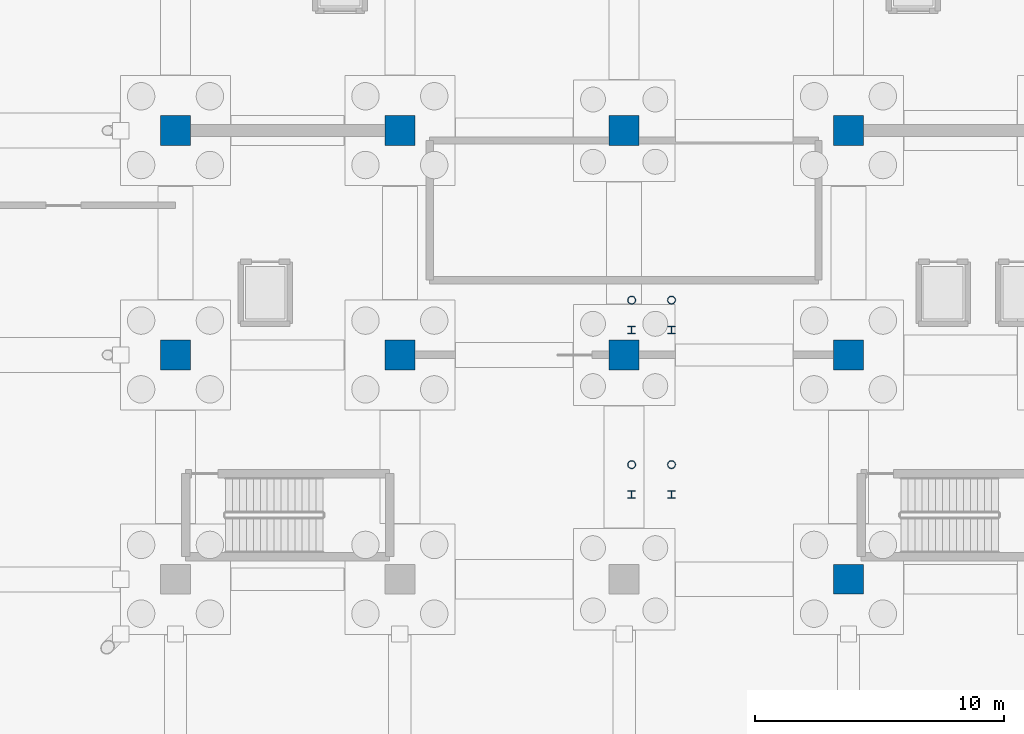
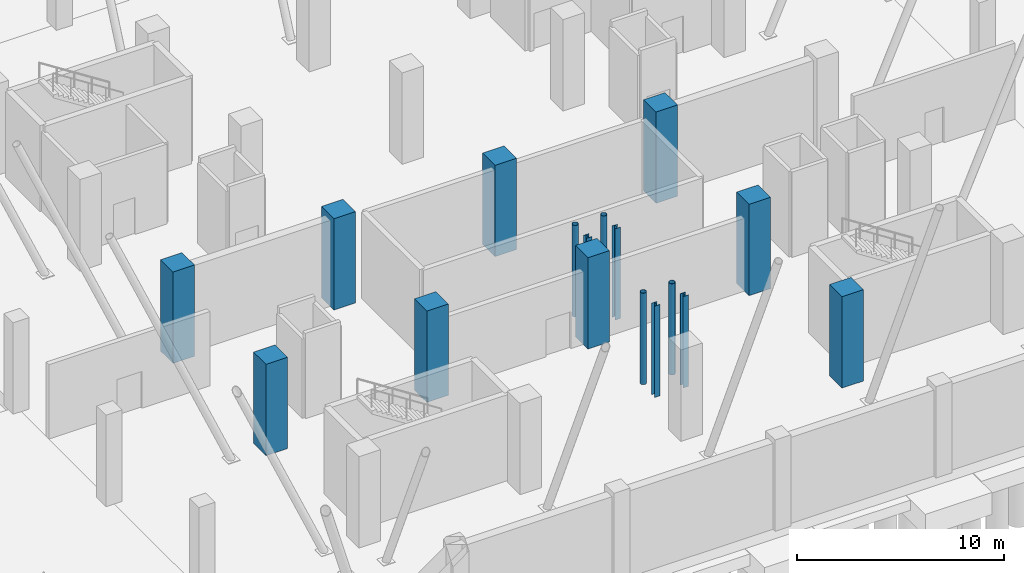
# One storey, part 13 of 42: 17 columns.
"""IFC4 building model written with IfcOpenShell, lengths in metres."""

from ifc_helpers import new_model, si_unit, direction, frame, origin, origin_2d, place, context, subcontext, project, spatial, rectangle, hollow_circle, i_section, extrude, material, material_profile, profile_set, type_object, element, save


model = new_model("IFC4")

# Units and contexts
model_context = context("Model", 3, precision=1e-05, world=origin(), true_north=direction((0.0, 1.0)))
body_context = subcontext(model_context, "Body", "Model", "MODEL_VIEW")
ifc_project = project(units=[si_unit("LENGTHUNIT", "METRE"), si_unit("AREAUNIT", "SQUARE_METRE"), si_unit("VOLUMEUNIT", "CUBIC_METRE"), si_unit("PLANEANGLEUNIT", "RADIAN"), si_unit("MASSUNIT", "GRAM", prefix="KILO")], contexts=[model_context])

# Site, building, storey
site_placement = place(None, origin())
site = spatial("IfcSite", under=ifc_project, at=site_placement, CompositionType="ELEMENT")
building_placement = place(site_placement, origin())
building = spatial("IfcBuilding", under=site, at=building_placement, Name="Sundgate Opera House", CompositionType="ELEMENT")
storey_placement = place(building_placement, frame((0.0, 0.0, -5.39990234375)))
storey = spatial("IfcBuildingStorey", under=building, at=storey_placement, Name="B01", CompositionType="ELEMENT", Elevation=-5.39990234375)

# Columns
ifc_material_1 = material(Name="Steel S355J2", Category="steel")
ifc_material_profile_1 = material_profile(ifc_material_1, hollow_circle(Radius=0.161865234375, WallThickness=0.01611328125, at=origin_2d()), Name="CHS 323.9x16.0")
ifc_profile_set_1 = profile_set([ifc_material_profile_1], Name="Steel S355J2")
column_type_1 = type_object("IfcColumnType", Name="CL-CHS-324", PredefinedType="COLUMN", material=ifc_profile_set_1)
for number, where, z_axis, x_axis, name in (
    (1, (54.300048828125, 46.60009765625, 0.0), (0.0, 0.0, 1.0), (1.0, 0.0, 0.0), "Grand Foyer South Monumental Stair Post C B01"),
    (2, (55.89990234375, 46.60009765625, 0.0), (0.0, 0.0, 1.0), (1.0, 0.0, 0.0), "Grand Foyer South Monumental Stair Post D B01"),
    (3, (54.300048828125, 53.199951171875, 0.0), (0.0, 0.0, 1.0), (1.0, 0.0, 0.0), "Grand Foyer North Monumental Stair Post C B01"),
    (4, (55.89990234375, 53.199951171875, 0.0), (0.0, 0.0, 1.0), (1.0, 0.0, 0.0), "Grand Foyer North Monumental Stair Post D B01"),
):
    element("IfcColumn", number, at=place(storey_placement, frame(where, z_axis=z_axis, x_axis=x_axis)), inside=storey, type_object=column_type_1, Name=name, PredefinedType="COLUMN", context=body_context, shape_type="SweptSolid", body=[
        extrude(hollow_circle(Radius=0.161865234375, WallThickness=0.01611328125, at=origin_2d()), origin(), (0.0, 0.0, 1.0), 5.39990234375),
    ])
ifc_material_2 = material(Name="Concrete C45/55", Category="concrete")
ifc_material_profile_2 = material_profile(ifc_material_2, rectangle(XDim=1.199951171875, YDim=1.199951171875, at=origin_2d()), Name="RC 1200x1200")
ifc_profile_set_2 = profile_set([ifc_material_profile_2], Name="Concrete C45/55")
column_type_2 = type_object("IfcColumnType", Name="CL-RC-1200", PredefinedType="COLUMN", material=ifc_profile_set_2)
for number, where, z_axis, x_axis, name in (
    (5, (36.0, 51.0, 0.0), (0.0, 0.0, 1.0), (1.0, 0.0, 0.0), "B01 Column C0226"),
    (6, (36.0, 60.0, 0.0), (0.0, 0.0, 1.0), (1.0, 0.0, 0.0), "B01 Column C0232"),
    (7, (45.0, 51.0, 0.0), (0.0, 0.0, 1.0), (1.0, 0.0, 0.0), "B01 Column C0291"),
    (8, (45.0, 60.0, 0.0), (0.0, 0.0, 1.0), (1.0, 0.0, 0.0), "B01 Column C0292"),
    (9, (54.0, 51.0, 0.0), (0.0, 0.0, 1.0), (1.0, 0.0, 0.0), "B01 Column C0351"),
    (10, (54.0, 60.0, 0.0), (0.0, 0.0, 1.0), (1.0, 0.0, 0.0), "B01 Column C0352"),
    (11, (63.0, 42.0, 0.0), (0.0, 0.0, 1.0), (1.0, 0.0, 0.0), "B01 Column C0400"),
    (12, (63.0, 51.0, 0.0), (0.0, 0.0, 1.0), (1.0, 0.0, 0.0), "B01 Column C0407"),
    (13, (63.0, 60.0, 0.0), (0.0, 0.0, 1.0), (1.0, 0.0, 0.0), "B01 Column C0408"),
):
    element("IfcColumn", number, at=place(storey_placement, frame(where, z_axis=z_axis, x_axis=x_axis)), inside=storey, type_object=column_type_2, Name=name, PredefinedType="COLUMN", context=body_context, shape_type="SweptSolid", body=[
        extrude(rectangle(XDim=1.199951171875, YDim=1.199951171875, at=origin_2d()), origin(), (0.0, 0.0, 1.0), 5.39990234375),
    ])
ifc_material_3 = material(Name="Steel S355J2", Category="steel")
ifc_material_profile_3 = material_profile(ifc_material_3, i_section(OverallWidth=0.300048828125, OverallDepth=0.300048828125, WebThickness=0.010986328125, FlangeThickness=0.01904296875, at=origin_2d()), Name="HEB 300")
ifc_profile_set_3 = profile_set([ifc_material_profile_3], Name="Steel S355J2")
column_type_3 = type_object("IfcColumnType", Name="CL-STL-300", PredefinedType="COLUMN", material=ifc_profile_set_3)
for number, where, z_axis, x_axis, name in (
    (14, (54.300048828125, 45.39990234375, 0.0), (0.0, 0.0, 1.0), (1.0, 0.0, 0.0), "Grand Foyer South Monumental Stair Post A B01"),
    (15, (55.89990234375, 45.39990234375, 0.0), (0.0, 0.0, 1.0), (1.0, 0.0, 0.0), "Grand Foyer South Monumental Stair Post B B01"),
    (16, (54.300048828125, 52.0, 0.0), (0.0, 0.0, 1.0), (1.0, 0.0, 0.0), "Grand Foyer North Monumental Stair Post A B01"),
    (17, (55.89990234375, 52.0, 0.0), (0.0, 0.0, 1.0), (1.0, 0.0, 0.0), "Grand Foyer North Monumental Stair Post B B01"),
):
    element("IfcColumn", number, at=place(storey_placement, frame(where, z_axis=z_axis, x_axis=x_axis)), inside=storey, type_object=column_type_3, Name=name, PredefinedType="COLUMN", context=body_context, shape_type="SweptSolid", body=[
        extrude(i_section(OverallWidth=0.300048828125, OverallDepth=0.300048828125, WebThickness=0.010986328125, FlangeThickness=0.01904296875, at=origin_2d()), origin(), (0.0, 0.0, 1.0), 5.39990234375),
    ])

save(model, "model.ifc")
